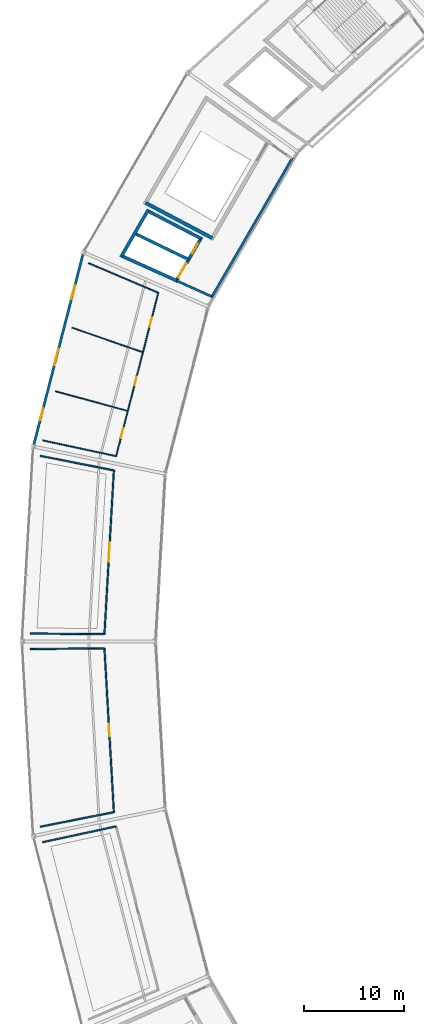
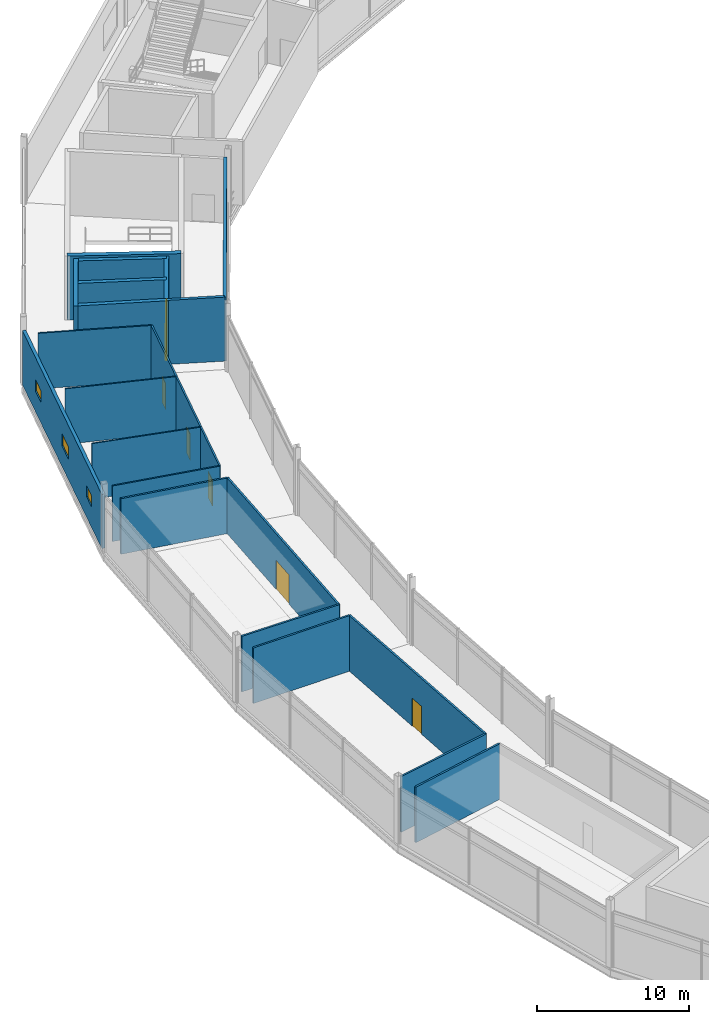
# One storey, part 69 of 86: 21 walls, 7 doors, 3 windows, 10 openings.
"""IFC4 building model written with IfcOpenShell, lengths in metres."""

from ifc_helpers import new_model, si_unit, direction, frame, frame_2d, origin, place, context, subcontext, project, spatial, rectangle, extrude, material, layer, layer_set, type_object, element, fill, save


model = new_model("IFC4")

# Units and contexts
model_context = context("Model", 3, precision=1e-05, world=origin(), true_north=direction((0.0, 1.0)))
body_context = subcontext(model_context, "Body", "Model", "MODEL_VIEW")
ifc_project = project(units=[si_unit("LENGTHUNIT", "METRE"), si_unit("AREAUNIT", "SQUARE_METRE"), si_unit("VOLUMEUNIT", "CUBIC_METRE"), si_unit("PLANEANGLEUNIT", "RADIAN"), si_unit("MASSUNIT", "GRAM", prefix="KILO")], contexts=[model_context])

# Site, building, storey
site_placement = place(None, origin())
site = spatial("IfcSite", under=ifc_project, at=site_placement, CompositionType="ELEMENT")
building_placement = place(site_placement, origin())
building = spatial("IfcBuilding", under=site, at=building_placement, Name="Kazemori Nagisa Stadium", CompositionType="ELEMENT")
storey_placement = place(building_placement, frame((0.0, 0.0, 31.280029296875)))
storey = spatial("IfcBuildingStorey", under=building, at=storey_placement, Name="L06", CompositionType="ELEMENT", Elevation=31.280029296875)

# Wall
ifc_material_1 = material(Name="Concrete C40/50 (Fc42)", Category="concrete")
ifc_layer_1 = layer(ifc_material_1, 0.35009765625, Name="Concrete C40/50 (Fc42)", Category="concrete")
ifc_layer_set_1 = layer_set([ifc_layer_1], Name="Concrete C40/50 (Fc42)")
wall_type_1 = type_object("IfcWallType", Name="Wall_W-CORE-350", PredefinedType="SHEAR", material=ifc_layer_set_1)
wall_1_placement = place(storey_placement, frame((46.958251953125, 142.15869140625, 0.0), z_axis=(0.0, 0.0, 1.0), x_axis=(-0.884271552762, 0.466973040952, 0.0)))
element("IfcWall", 1, at=wall_1_placement, inside=storey, type_object=wall_type_1, Name="Core stair right shear wall ST08 L06", PredefinedType="SHEAR", context=body_context, shape_type="SweptSolid", body=[
    extrude(rectangle(XDim=7.51953125, YDim=0.35009765625, at=frame_2d((3.759765625, 0.0))), origin(), (0.0, 0.0, 1.0), 5.159912109375),
])

# Wall, openings, windows
ifc_material_2 = material(Name="Steel S355 (SN490B)", Category="steel")
ifc_layer_2 = layer(ifc_material_2, 0.239990234375, Name="Steel S355 (SN490B)", Category="steel")
ifc_layer_set_2 = layer_set([ifc_layer_2], Name="Steel S355 (SN490B)")
wall_type_2 = type_object("IfcWallType", Name="Wall_W-EXT-240", PredefinedType="SOLIDWALL", material=ifc_layer_set_2)
wall_2_placement = place(storey_placement, frame((34.065185546875, 140.555908203125, 0.0), z_axis=(0.0, 0.0, 1.0), x_axis=(-0.249969248142, -0.968253776126, 0.0)))
wall_2 = element("IfcWall", 2, at=wall_2_placement, inside=storey, type_object=wall_type_2, Name="Exterior facade wall L06-13", PredefinedType="SOLIDWALL", context=body_context, shape_type="SweptSolid", body=[
    extrude(rectangle(XDim=19.58642578125, YDim=0.239990234375, at=frame_2d((9.793212890625, 0.0))), origin(), (0.0, 0.0, 1.0), 4.35791015625),
])
opening_1_placement = place(wall_2_placement, frame((3.19189453125, 0.0, 1.64990234375)))
opening_1 = element("IfcOpeningElement", 3, at=opening_1_placement, cuts=wall_2, Name="Opening WIN-WC-1450", PredefinedType="OPENING", context=body_context, shape_type="SweptSolid", body=[
    extrude(rectangle(XDim=1.449951171875, YDim=0.949951171875, at=frame_2d((0.72509765625, 0.47509765625))), frame((0.0, 0.1298828125, 0.0), z_axis=(0.0, -1.0, 0.0), x_axis=(1.0, 0.0, 0.0)), (0.0, 0.0, 1.0), 0.260009765625),
])
opening_2_placement = place(wall_2_placement, frame((9.751953125, 0.0, 1.64990234375)))
opening_2 = element("IfcOpeningElement", 4, at=opening_2_placement, cuts=wall_2, Name="Opening WIN-WC-1650", PredefinedType="OPENING", context=body_context, shape_type="SweptSolid", body=[
    extrude(rectangle(XDim=1.64990234375, YDim=1.0, at=frame_2d((0.824951171875, 0.5))), frame((0.0, 0.1298828125, 0.0), z_axis=(0.0, -1.0, 0.0), x_axis=(1.0, 0.0, 0.0)), (0.0, 0.0, 1.0), 0.260009765625),
])
opening_3_placement = place(wall_2_placement, frame((15.85302734375, 0.0, 1.64990234375)))
opening_3 = element("IfcOpeningElement", 5, at=opening_3_placement, cuts=wall_2, Name="Opening WIN-WC-1200", PredefinedType="OPENING", context=body_context, shape_type="SweptSolid", body=[
    extrude(rectangle(XDim=1.199951171875, YDim=0.89990234375, at=frame_2d((0.60009765625, 0.449951171875))), frame((0.0, 0.1298828125, 0.0), z_axis=(0.0, -1.0, 0.0), x_axis=(1.0, 0.0, 0.0)), (0.0, 0.0, 1.0), 0.260009765625),
])
ifc_material_3 = material(Name="Low-e laminated double glazing", Category="glass")
window_type_1 = type_object("IfcWindowType", Name="Window_WIN-WC-1200", PartitioningType="SINGLE_PANEL", PredefinedType="WINDOW", material=ifc_material_3)
window_1_placement = place(opening_3_placement, origin())
window_1 = element("IfcWindow", 6, at=window_1_placement, inside=storey, type_object=window_type_1, Name="Sanitary clerestory window L06-13-3", OverallHeight=0.89990234375, OverallWidth=1.199951171875, PartitioningType="SINGLE_PANEL", PredefinedType="WINDOW", context=body_context, shape_type="SweptSolid", body=[
    extrude(rectangle(XDim=1.199951171875, YDim=0.89990234375, at=frame_2d((0.60009765625, 0.449951171875))), frame((0.0, 0.030029296875, 0.0), z_axis=(0.0, -1.0, 0.0), x_axis=(1.0, 0.0, 0.0)), (0.0, 0.0, 1.0), 0.06005859375),
])
fill(opening_3, window_1)
window_type_2 = type_object("IfcWindowType", Name="Window_WIN-WC-1450", PartitioningType="SINGLE_PANEL", PredefinedType="WINDOW", material=ifc_material_3)
window_2_placement = place(opening_1_placement, origin())
window_2 = element("IfcWindow", 7, at=window_2_placement, inside=storey, type_object=window_type_2, Name="Sanitary clerestory window L06-13-1", OverallHeight=0.949951171875, OverallWidth=1.449951171875, PartitioningType="SINGLE_PANEL", PredefinedType="WINDOW", context=body_context, shape_type="SweptSolid", body=[
    extrude(rectangle(XDim=1.449951171875, YDim=0.949951171875, at=frame_2d((0.72509765625, 0.47509765625))), frame((0.0, 0.030029296875, 0.0), z_axis=(0.0, -1.0, 0.0), x_axis=(1.0, 0.0, 0.0)), (0.0, 0.0, 1.0), 0.06005859375),
])
fill(opening_1, window_2)
window_type_3 = type_object("IfcWindowType", Name="Window_WIN-WC-1650", PartitioningType="SINGLE_PANEL", PredefinedType="WINDOW", material=ifc_material_3)
window_3_placement = place(opening_2_placement, origin())
window_3 = element("IfcWindow", 8, at=window_3_placement, inside=storey, type_object=window_type_3, Name="Sanitary clerestory window L06-13-2", OverallHeight=1.0, OverallWidth=1.64990234375, PartitioningType="SINGLE_PANEL", PredefinedType="WINDOW", context=body_context, shape_type="SweptSolid", body=[
    extrude(rectangle(XDim=1.64990234375, YDim=1.0, at=frame_2d((0.824951171875, 0.5))), frame((0.0, 0.030029296875, 0.0), z_axis=(0.0, -1.0, 0.0), x_axis=(1.0, 0.0, 0.0)), (0.0, 0.0, 1.0), 0.06005859375),
])
fill(opening_2, window_3)

# Walls
ifc_material_4 = material(Name="Concrete C36/45 (Fc36)", Category="concrete")
ifc_layer_3 = layer(ifc_material_4, 0.219970703125, Name="Concrete C36/45 (Fc36)", Category="concrete")
ifc_layer_set_3 = layer_set([ifc_layer_3], Name="Concrete C36/45 (Fc36)")
wall_type_3 = type_object("IfcWallType", Name="Wall_W-LOBBY-220", PredefinedType="SOLIDWALL", material=ifc_layer_set_3)
wall_3_placement = place(storey_placement, frame((54.9443359375, 150.17041015625, 0.0), z_axis=(0.0, 0.0, 1.0), x_axis=(-0.501612626242, -0.865092349518, 0.0)))
element("IfcWall", 9, at=wall_3_placement, inside=storey, type_object=wall_type_3, Name="Core lobby fire wall ST08 L06", PredefinedType="SOLIDWALL", context=body_context, shape_type="SweptSolid", body=[
    extrude(rectangle(XDim=16.110107421875, YDim=0.219970703125, at=frame_2d((8.05517578125, 0.0))), origin(), (0.0, 0.0, 1.0), 5.159912109375),
])
wall_4_placement = place(storey_placement, frame((46.91845703125, 136.328857421875, 0.0), z_axis=(0.0, 0.0, 1.0), x_axis=(-0.91149641055, 0.411308027582, 0.0)))
element("IfcWall", 10, at=wall_4_placement, inside=storey, type_object=wall_type_3, Name="Core lobby right wall ST08 L06", PredefinedType="SOLIDWALL", context=body_context, shape_type="SweptSolid", body=[
    extrude(rectangle(XDim=3.873046875, YDim=0.219970703125, at=frame_2d((1.9365234375, 0.0))), origin(), (0.0, 0.0, 1.0), 5.159912109375),
])
ifc_material_5 = material(Name="High-pressure phenolic compact laminate", Category="gypsum")
ifc_layer_4 = layer(ifc_material_5, 0.10009765625, Name="High-pressure phenolic compact laminate", Category="gypsum")
ifc_layer_set_4 = layer_set([ifc_layer_4], Name="High-pressure phenolic compact laminate")
wall_type_4 = type_object("IfcWallType", Name="Wall_W-PART-100", PredefinedType="PARTITIONING", material=ifc_layer_set_4)
wall_5_placement = place(storey_placement, frame((40.04736328125, 130.786376953125, 0.0), z_axis=(0.0, 0.0, 1.0), x_axis=(-0.944734783815, 0.327835611627, 0.0)))
element("IfcWall", 11, at=wall_5_placement, inside=storey, type_object=wall_type_4, Name="Sanitary divider partition L06-B13-1", PredefinedType="PARTITIONING", context=body_context, shape_type="SweptSolid", body=[
    extrude(rectangle(XDim=7.4931640625, YDim=0.10009765625, at=frame_2d((3.74658203125, 0.0))), origin(), (0.0, 0.0, 1.0), 4.47998046875),
])
wall_6_placement = place(storey_placement, frame((38.539306640625, 124.944580078125, 0.0), z_axis=(0.0, 0.0, 1.0), x_axis=(-0.965026596671, 0.262151993541, 0.0)))
element("IfcWall", 12, at=wall_6_placement, inside=storey, type_object=wall_type_4, Name="Sanitary divider partition L06-B13-2", PredefinedType="PARTITIONING", context=body_context, shape_type="SweptSolid", body=[
    extrude(rectangle(XDim=7.468994140625, YDim=0.10009765625, at=frame_2d((3.734375, 0.0))), origin(), (0.0, 0.0, 1.0), 4.47998046875),
])

# Wall, openings, doors
ifc_material_6 = material(Name="Moisture-resistant gypsum board", Category="gypsum")
ifc_layer_5 = layer(ifc_material_6, 0.114990234375, Name="Moisture-resistant gypsum board", Category="gypsum")
ifc_layer_set_5 = layer_set([ifc_layer_5], Name="Moisture-resistant gypsum board")
wall_type_5 = type_object("IfcWallType", Name="Wall_W-PART-115", PredefinedType="PARTITIONING", material=ifc_layer_set_5)
wall_7_placement = place(storey_placement, frame((41.576416015625, 136.70947265625, 0.0), z_axis=(0.0, 0.0, 1.0), x_axis=(-0.249966328054, -0.968254529986, 0.0)))
wall_7 = element("IfcWall", 13, at=wall_7_placement, inside=storey, type_object=wall_type_5, Name="Sanitary block corridor partition L06-B13", PredefinedType="PARTITIONING", context=body_context, shape_type="SweptSolid", body=[
    extrude(rectangle(XDim=16.805908203125, YDim=0.114990234375, at=frame_2d((8.40283203125, 0.0))), origin(), (0.0, 0.0, 1.0), 4.47998046875),
])
opening_4_placement = place(wall_7_placement, frame((2.574951171875, 0.0, 0.0)))
opening_4 = element("IfcOpeningElement", 14, at=opening_4_placement, cuts=wall_7, Name="Opening D-WC-900", PredefinedType="OPENING", context=body_context, shape_type="SweptSolid", body=[
    extrude(rectangle(XDim=0.89990234375, YDim=2.10009765625, at=frame_2d((0.449951171875, 1.050048828125))), frame((0.0, 0.0673828125, 0.0), z_axis=(0.0, -1.0, 0.0), x_axis=(1.0, 0.0, 0.0)), (0.0, 0.0, 1.0), 0.135009765625),
])
opening_5_placement = place(wall_7_placement, frame((8.625, 0.0, 0.0)))
opening_5 = element("IfcOpeningElement", 15, at=opening_5_placement, cuts=wall_7, Name="Opening D-WC-900", PredefinedType="OPENING", context=body_context, shape_type="SweptSolid", body=[
    extrude(rectangle(XDim=0.89990234375, YDim=2.10009765625, at=frame_2d((0.449951171875, 1.050048828125))), frame((0.0, 0.0673828125, 0.0), z_axis=(0.0, -1.0, 0.0), x_axis=(1.0, 0.0, 0.0)), (0.0, 0.0, 1.0), 0.135009765625),
])
opening_6_placement = place(wall_7_placement, frame((13.927978515625, 0.0, 0.0)))
opening_6 = element("IfcOpeningElement", 16, at=opening_6_placement, cuts=wall_7, Name="Opening D-AWC-1050", PredefinedType="OPENING", context=body_context, shape_type="SweptSolid", body=[
    extrude(rectangle(XDim=1.050048828125, YDim=2.10009765625, at=frame_2d((0.52490234375, 1.050048828125))), frame((0.0, 0.0673828125, 0.0), z_axis=(0.0, -1.0, 0.0), x_axis=(1.0, 0.0, 0.0)), (0.0, 0.0, 1.0), 0.135009765625),
])
ifc_material_7 = material(Name="High-pressure laminate on timber core", Category="wood")
door_type_1 = type_object("IfcDoorType", Name="Door_D-AWC-1050", OperationType="NOTDEFINED", PredefinedType="DOOR", material=ifc_material_7)
door_1_placement = place(opening_6_placement, origin())
door_1 = element("IfcDoor", 17, at=door_1_placement, inside=storey, type_object=door_type_1, Name="AWC entrance door L06-B13", OperationType="SINGLE_SWING_RIGHT", OverallHeight=2.10009765625, OverallWidth=1.050048828125, PredefinedType="DOOR", context=body_context, shape_type="SweptSolid", body=[
    extrude(rectangle(XDim=1.050048828125, YDim=2.10009765625, at=frame_2d((0.52490234375, 1.050048828125))), frame((0.0, 0.02490234375, 0.0), z_axis=(0.0, -1.0, 0.0), x_axis=(1.0, 0.0, 0.0)), (0.0, 0.0, 1.0), 0.050048828125),
])
fill(opening_6, door_1)
door_type_2 = type_object("IfcDoorType", Name="Door_D-WC-900", OperationType="NOTDEFINED", PredefinedType="DOOR", material=ifc_material_7)
door_2_placement = place(opening_4_placement, origin())
door_2 = element("IfcDoor", 18, at=door_2_placement, inside=storey, type_object=door_type_2, Name="MWC entrance door L06-B13", OperationType="SINGLE_SWING_RIGHT", OverallHeight=2.10009765625, OverallWidth=0.89990234375, PredefinedType="DOOR", context=body_context, shape_type="SweptSolid", body=[
    extrude(rectangle(XDim=0.89990234375, YDim=2.10009765625, at=frame_2d((0.449951171875, 1.050048828125))), frame((0.0, 0.02490234375, 0.0), z_axis=(0.0, -1.0, 0.0), x_axis=(1.0, 0.0, 0.0)), (0.0, 0.0, 1.0), 0.050048828125),
])
fill(opening_4, door_2)
door_3_placement = place(opening_5_placement, origin())
door_3 = element("IfcDoor", 19, at=door_3_placement, inside=storey, type_object=door_type_2, Name="FWC entrance door L06-B13", OperationType="SINGLE_SWING_LEFT", OverallHeight=2.10009765625, OverallWidth=0.89990234375, PredefinedType="DOOR", context=body_context, shape_type="SweptSolid", body=[
    extrude(rectangle(XDim=0.89990234375, YDim=2.10009765625, at=frame_2d((0.449951171875, 1.050048828125))), frame((0.0, 0.02490234375, 0.0), z_axis=(0.0, -1.0, 0.0), x_axis=(1.0, 0.0, 0.0)), (0.0, 0.0, 1.0), 0.050048828125),
])
fill(opening_5, door_3)

# Walls
wall_8_placement = place(storey_placement, frame((41.576416015625, 136.70947265625, 0.0), z_axis=(0.0, 0.0, 1.0), x_axis=(-0.919898990597, 0.39215538642, 0.0)))
element("IfcWall", 20, at=wall_8_placement, inside=storey, type_object=wall_type_5, Name="Sanitary block L partition L06-B13", PredefinedType="PARTITIONING", context=body_context, shape_type="SweptSolid", body=[
    extrude(rectangle(XDim=7.553466796875, YDim=0.114990234375, at=frame_2d((3.77685546875, 0.0))), origin(), (0.0, 0.0, 1.0), 4.47998046875),
])
wall_9_placement = place(storey_placement, frame((37.37548828125, 120.43701171875, 0.0), z_axis=(0.0, 0.0, 1.0), x_axis=(-0.977591606225, 0.210510454464, 0.0)))
element("IfcWall", 21, at=wall_9_placement, inside=storey, type_object=wall_type_5, Name="Sanitary block R partition L06-B13", PredefinedType="PARTITIONING", context=body_context, shape_type="SweptSolid", body=[
    extrude(rectangle(XDim=7.474609375, YDim=0.114990234375, at=frame_2d((3.7373046875, 0.0))), origin(), (0.0, 0.0, 1.0), 4.47998046875),
])

# Wall, opening, door
ifc_material_8 = material(Name="Gypsum plasterboard", Category="gypsum")
ifc_layer_6 = layer(ifc_material_8, 0.139892578125, Name="Gypsum plasterboard", Category="gypsum")
ifc_layer_set_6 = layer_set([ifc_layer_6], Name="Gypsum plasterboard")
wall_type_6 = type_object("IfcWallType", Name="Wall_W-PART-140", PredefinedType="PARTITIONING", material=ifc_layer_set_6)
wall_10_placement = place(storey_placement, frame((37.152099609375, 119.020263671875, 0.0), z_axis=(0.0, 0.0, 1.0), x_axis=(-0.057605127437, -0.998339445927, 0.0)))
wall_10 = element("IfcWall", 22, at=wall_10_placement, inside=storey, type_object=wall_type_6, Name="Room corridor partition L06-B14", PredefinedType="PARTITIONING", context=body_context, shape_type="SweptSolid", body=[
    extrude(rectangle(XDim=16.338134765625, YDim=0.139892578125, at=frame_2d((8.1689453125, 0.0))), origin(), (0.0, 0.0, 1.0), 4.47998046875),
])
opening_7_placement = place(wall_10_placement, frame((7.218994140625, 0.0, 0.0)))
opening_7 = element("IfcOpeningElement", 23, at=opening_7_placement, cuts=wall_10, Name="Opening D-PRS-1900", PredefinedType="OPENING", context=body_context, shape_type="SweptSolid", body=[
    extrude(rectangle(XDim=1.89990234375, YDim=2.35009765625, at=frame_2d((0.949951171875, 1.175048828125))), frame((0.0, 0.079833984375, 0.0), z_axis=(0.0, -1.0, 0.0), x_axis=(1.0, 0.0, 0.0)), (0.0, 0.0, 1.0), 0.159912109375),
])
ifc_material_9 = material(Name="Oak timber veneer", Category="wood")
door_type_3 = type_object("IfcDoorType", Name="Door_D-PRS-1900", OperationType="NOTDEFINED", PredefinedType="DOOR", material=ifc_material_9)
door_4_placement = place(opening_7_placement, origin())
door_4 = element("IfcDoor", 24, at=door_4_placement, inside=storey, type_object=door_type_3, Name="Room entrance door D-PRS-1900 L06-B14", OperationType="DOUBLE_DOOR_SINGLE_SWING", OverallHeight=2.35009765625, OverallWidth=1.89990234375, PredefinedType="DOOR", context=body_context, shape_type="SweptSolid", body=[
    extrude(rectangle(XDim=1.89990234375, YDim=2.35009765625, at=frame_2d((0.949951171875, 1.175048828125))), frame((0.0, 0.02490234375, 0.0), z_axis=(0.0, -1.0, 0.0), x_axis=(1.0, 0.0, 0.0)), (0.0, 0.0, 1.0), 0.050048828125),
])
fill(opening_7, door_4)

# Walls
wall_11_placement = place(storey_placement, frame((37.152099609375, 119.020263671875, 0.0), z_axis=(0.0, 0.0, 1.0), x_axis=(-0.980903700741, 0.194494035571, 0.0)))
element("IfcWall", 25, at=wall_11_placement, inside=storey, type_object=wall_type_6, Name="Room radial partition L06-B14-L", PredefinedType="PARTITIONING", context=body_context, shape_type="SweptSolid", body=[
    extrude(rectangle(XDim=7.46875, YDim=0.139892578125, at=frame_2d((3.734375, 0.0))), origin(), (0.0, 0.0, 1.0), 4.47998046875),
])
wall_12_placement = place(storey_placement, frame((36.2109375, 102.709228515625, 0.0), z_axis=(0.0, 0.0, 1.0), x_axis=(-0.999966587703, 0.008174562869, 0.0)))
element("IfcWall", 26, at=wall_12_placement, inside=storey, type_object=wall_type_6, Name="Room radial partition L06-B14-R", PredefinedType="PARTITIONING", context=body_context, shape_type="SweptSolid", body=[
    extrude(rectangle(XDim=7.40673828125, YDim=0.139892578125, at=frame_2d((3.703369140625, 0.0))), origin(), (0.0, 0.0, 1.0), 4.47998046875),
])

# Wall, opening, door
wall_13_placement = place(storey_placement, frame((36.2109375, 101.290771484375, 0.0), z_axis=(0.0, 0.0, 1.0), x_axis=(0.057605127437, -0.998339445927, 0.0)))
wall_13 = element("IfcWall", 27, at=wall_13_placement, inside=storey, type_object=wall_type_6, Name="Room corridor partition L06-B15", PredefinedType="PARTITIONING", context=body_context, shape_type="SweptSolid", body=[
    extrude(rectangle(XDim=16.338134765625, YDim=0.139892578125, at=frame_2d((8.1689453125, 0.0))), origin(), (0.0, 0.0, 1.0), 4.47998046875),
])
opening_8_placement = place(wall_13_placement, frame((7.593994140625, 0.0, 0.0)))
opening_8 = element("IfcOpeningElement", 28, at=opening_8_placement, cuts=wall_13, Name="Opening D-STU-1150", PredefinedType="OPENING", context=body_context, shape_type="SweptSolid", body=[
    extrude(rectangle(XDim=1.14990234375, YDim=2.25, at=frame_2d((0.574951171875, 1.125))), frame((0.0, 0.079833984375, 0.0), z_axis=(0.0, -1.0, 0.0), x_axis=(1.0, 0.0, 0.0)), (0.0, 0.0, 1.0), 0.159912109375),
])
ifc_material_10 = material(Name="Galvanised steel sheet", Category="steel")
door_type_4 = type_object("IfcDoorType", Name="Door_D-STU-1150", OperationType="NOTDEFINED", PredefinedType="DOOR", material=ifc_material_10)
door_5_placement = place(opening_8_placement, origin())
door_5 = element("IfcDoor", 29, at=door_5_placement, inside=storey, type_object=door_type_4, Name="Room entrance door D-STU-1150 L06-B15", OperationType="SINGLE_SWING_LEFT", OverallHeight=2.25, OverallWidth=1.14990234375, PredefinedType="DOOR", context=body_context, shape_type="SweptSolid", body=[
    extrude(rectangle(XDim=1.14990234375, YDim=2.25, at=frame_2d((0.574951171875, 1.125))), frame((0.0, 0.02490234375, 0.0), z_axis=(0.0, -1.0, 0.0), x_axis=(1.0, 0.0, 0.0)), (0.0, 0.0, 1.0), 0.050048828125),
])
fill(opening_8, door_5)

# Walls
wall_14_placement = place(storey_placement, frame((36.2109375, 101.290771484375, 0.0), z_axis=(0.0, 0.0, 1.0), x_axis=(-0.999966587703, -0.008174562869, 0.0)))
element("IfcWall", 30, at=wall_14_placement, inside=storey, type_object=wall_type_6, Name="Room radial partition L06-B15-L", PredefinedType="PARTITIONING", context=body_context, shape_type="SweptSolid", body=[
    extrude(rectangle(XDim=7.40673828125, YDim=0.139892578125, at=frame_2d((3.703369140625, 0.0))), origin(), (0.0, 0.0, 1.0), 4.47998046875),
])
wall_15_placement = place(storey_placement, frame((37.152099609375, 84.979736328125, 0.0), z_axis=(0.0, 0.0, 1.0), x_axis=(-0.980903700741, -0.194494035571, 0.0)))
element("IfcWall", 31, at=wall_15_placement, inside=storey, type_object=wall_type_6, Name="Room radial partition L06-B15-R", PredefinedType="PARTITIONING", context=body_context, shape_type="SweptSolid", body=[
    extrude(rectangle(XDim=7.46875, YDim=0.139892578125, at=frame_2d((3.734375, 0.0))), origin(), (0.0, 0.0, 1.0), 4.47998046875),
])
wall_16_placement = place(storey_placement, frame((37.37548828125, 83.56298828125, 0.0), z_axis=(0.0, 0.0, 1.0), x_axis=(-0.977591606225, -0.210510454464, 0.0)))
element("IfcWall", 32, at=wall_16_placement, inside=storey, type_object=wall_type_6, Name="Room radial partition L06-B16-L", PredefinedType="PARTITIONING", context=body_context, shape_type="SweptSolid", body=[
    extrude(rectangle(XDim=7.474609375, YDim=0.139892578125, at=frame_2d((3.7373046875, 0.0))), origin(), (0.0, 0.0, 1.0), 4.47998046875),
])

# Wall, openings, doors
ifc_layer_7 = layer(ifc_material_1, 0.300048828125, Name="Concrete C40/50 (Fc42)", Category="concrete")
ifc_layer_set_7 = layer_set([ifc_layer_7], Name="Concrete C40/50 (Fc42)")
wall_type_7 = type_object("IfcWallType", Name="Wall_W-SHAFT-300", PredefinedType="SHEAR", material=ifc_layer_set_7)
wall_17_placement = place(storey_placement, frame((45.89990234375, 142.253662109375, 0.0), z_axis=(0.0, 0.0, 1.0), x_axis=(-0.501629534056, -0.86508254552, 0.0)))
wall_17 = element("IfcWall", 33, at=wall_17_placement, inside=storey, type_object=wall_type_7, Name="Lift shaft front wall LP6 L06", PredefinedType="SHEAR", context=body_context, shape_type="SweptSolid", body=[
    extrude(rectangle(XDim=5.157470703125, YDim=0.300048828125, at=frame_2d((2.57861328125, 0.0))), origin(), (0.0, 0.0, 1.0), 5.159912109375),
])
opening_9_placement = place(wall_17_placement, frame((0.76611328125, 0.0, 0.0)))
opening_9 = element("IfcOpeningElement", 34, at=opening_9_placement, cuts=wall_17, Name="Opening LD-PAX", PredefinedType="OPENING", context=body_context, shape_type="SweptSolid", body=[
    extrude(rectangle(XDim=1.10009765625, YDim=2.199951171875, at=frame_2d((0.550048828125, 1.10009765625))), frame((0.0, 0.159912109375, 0.0), z_axis=(0.0, -1.0, 0.0), x_axis=(1.0, 0.0, 0.0)), (0.0, 0.0, 1.0), 0.320068359375),
])
opening_10_placement = place(wall_17_placement, frame((3.0419921875, 0.0, 0.0)))
opening_10 = element("IfcOpeningElement", 35, at=opening_10_placement, cuts=wall_17, Name="Opening LD-GDS", PredefinedType="OPENING", context=body_context, shape_type="SweptSolid", body=[
    extrude(rectangle(XDim=1.60009765625, YDim=2.300048828125, at=frame_2d((0.800048828125, 1.14990234375))), frame((0.0, 0.159912109375, 0.0), z_axis=(0.0, -1.0, 0.0), x_axis=(1.0, 0.0, 0.0)), (0.0, 0.0, 1.0), 0.320068359375),
])
ifc_material_11 = material(Name="Stainless steel SUS304", Category="steel")
door_type_5 = type_object("IfcDoorType", Name="Door_LD-GDS", OperationType="SLIDING_TO_LEFT", PredefinedType="DOOR", material=ifc_material_11)
door_6_placement = place(opening_10_placement, origin())
door_6 = element("IfcDoor", 36, at=door_6_placement, inside=storey, type_object=door_type_5, Name="Lift landing door LG1-L06", OperationType="SLIDING_TO_LEFT", OverallHeight=2.300048828125, OverallWidth=1.60009765625, PredefinedType="DOOR", context=body_context, shape_type="SweptSolid", body=[
    extrude(rectangle(XDim=1.60009765625, YDim=2.300048828125, at=frame_2d((0.800048828125, 1.14990234375))), frame((0.0, 0.02490234375, 0.0), z_axis=(0.0, -1.0, 0.0), x_axis=(1.0, 0.0, 0.0)), (0.0, 0.0, 1.0), 0.050048828125),
])
fill(opening_10, door_6)
door_type_6 = type_object("IfcDoorType", Name="Door_LD-PAX", OperationType="SLIDING_TO_RIGHT", PredefinedType="DOOR", material=ifc_material_11)
door_7_placement = place(opening_9_placement, origin())
door_7 = element("IfcDoor", 37, at=door_7_placement, inside=storey, type_object=door_type_6, Name="Lift landing door LP6-L06", OperationType="SLIDING_TO_RIGHT", OverallHeight=2.199951171875, OverallWidth=1.10009765625, PredefinedType="DOOR", context=body_context, shape_type="SweptSolid", body=[
    extrude(rectangle(XDim=1.10009765625, YDim=2.199951171875, at=frame_2d((0.550048828125, 1.10009765625))), frame((0.0, 0.02490234375, 0.0), z_axis=(0.0, -1.0, 0.0), x_axis=(1.0, 0.0, 0.0)), (0.0, 0.0, 1.0), 0.050048828125),
])
fill(opening_9, door_7)

# Walls
wall_18_placement = place(storey_placement, frame((40.59521484375, 145.01171875, 0.0), z_axis=(0.0, 0.0, 1.0), x_axis=(-0.501630260479, -0.865082124293, 0.0)))
element("IfcWall", 38, at=wall_18_placement, inside=storey, type_object=wall_type_7, Name="Lift shaft B wall LP6 L06", PredefinedType="SHEAR", context=body_context, shape_type="SweptSolid", body=[
    extrude(rectangle(XDim=5.491455078125, YDim=0.300048828125, at=frame_2d((2.74560546875, 0.0))), origin(), (0.0, 0.0, 1.0), 5.159912109375),
])
wall_19_placement = place(storey_placement, frame((45.82470703125, 142.1240234375, 0.0), z_axis=(0.0, 0.0, 1.0), x_axis=(-0.887268274556, 0.461253735992, 0.0)))
element("IfcWall", 39, at=wall_19_placement, inside=storey, type_object=wall_type_7, Name="Lift shaft L wall LP6 L06", PredefinedType="SHEAR", context=body_context, shape_type="SweptSolid", body=[
    extrude(rectangle(XDim=5.97900390625, YDim=0.300048828125, at=frame_2d((2.989501953125, 0.0))), origin(), (0.0, 0.0, 1.0), 5.159912109375),
])
wall_20_placement = place(storey_placement, frame((43.38818359375, 137.921875, 0.0), z_axis=(0.0, 0.0, 1.0), x_axis=(-0.911521602376, 0.41125219562, 0.0)))
element("IfcWall", 40, at=wall_20_placement, inside=storey, type_object=wall_type_7, Name="Lift shaft R wall LP6 L06", PredefinedType="SHEAR", context=body_context, shape_type="SweptSolid", body=[
    extrude(rectangle(XDim=6.003662109375, YDim=0.300048828125, at=frame_2d((3.001953125, 0.0))), origin(), (0.0, 0.0, 1.0), 5.159912109375),
])
wall_21_placement = place(storey_placement, frame((44.6064453125, 140.02294921875, 0.0), z_axis=(0.0, 0.0, 1.0), x_axis=(-0.899759302591, 0.436386522936, 0.0)))
element("IfcWall", 41, at=wall_21_placement, inside=storey, type_object=wall_type_7, Name="Lift shaft divider wall LP6-LG1 L06", PredefinedType="SHEAR", context=body_context, shape_type="SweptSolid", body=[
    extrude(rectangle(XDim=5.989013671875, YDim=0.300048828125, at=frame_2d((2.99462890625, 0.0))), origin(), (0.0, 0.0, 1.0), 5.159912109375),
])

save(model, "model.ifc")
